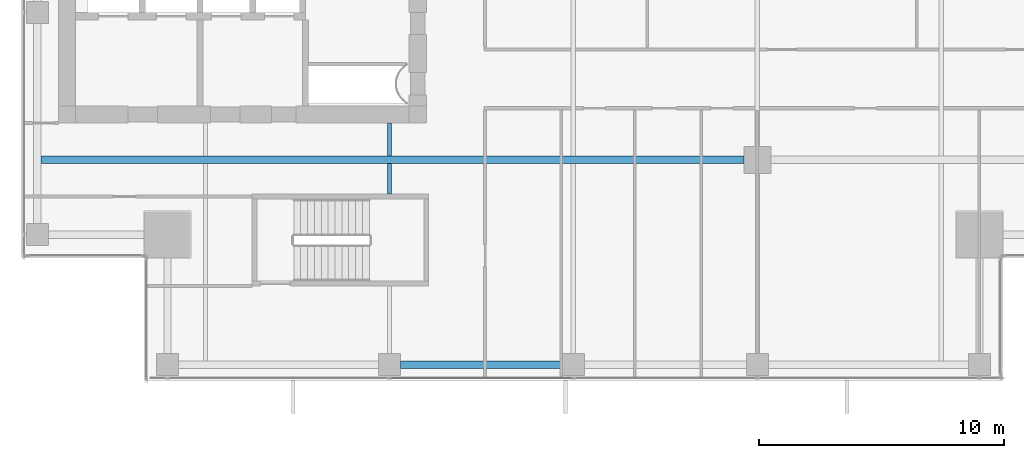
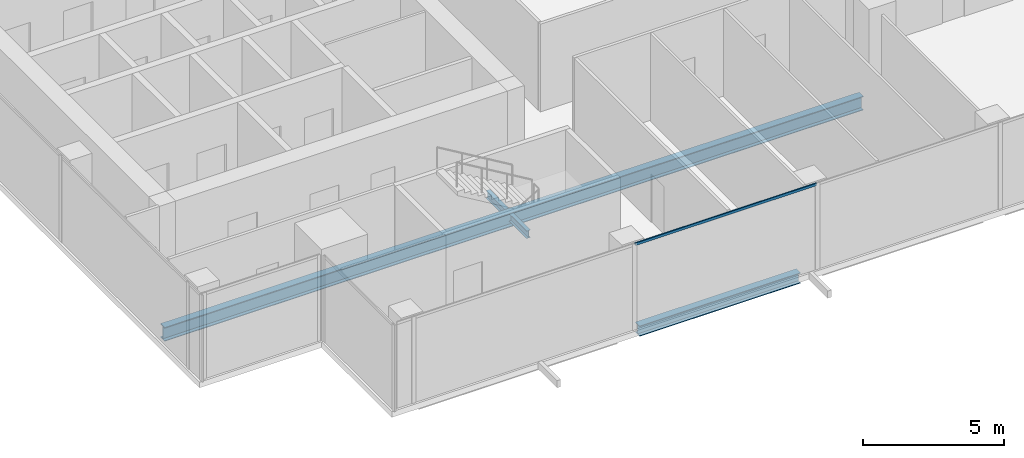
# One storey, part 5 of 36: 4 beams, 1 member, 1 element without a shape of its own.
"""IFC4 building model written with IfcOpenShell, lengths in metres."""

from ifc_helpers import new_model, si_unit, direction, frame, origin, origin_2d, place, context, subcontext, project, spatial, hollow_rectangle, i_section, extrude, source, transform, mapped, material, material_profile, profile_set, type_object, element, aggregate, save


model = new_model("IFC4")

# Units and contexts
model_context = context("Model", 3, precision=1e-05, world=origin(), true_north=direction((0.0, 1.0)))
body_context = subcontext(model_context, "Body", "Model", "MODEL_VIEW")
ifc_project = project(units=[si_unit("LENGTHUNIT", "METRE"), si_unit("AREAUNIT", "SQUARE_METRE"), si_unit("VOLUMEUNIT", "CUBIC_METRE"), si_unit("PLANEANGLEUNIT", "RADIAN"), si_unit("MASSUNIT", "GRAM", prefix="KILO")], contexts=[model_context])

# Site, building, storey
site_placement = place(None, origin())
site = spatial("IfcSite", under=ifc_project, at=site_placement, CompositionType="ELEMENT")
building_placement = place(site_placement, origin())
building = spatial("IfcBuilding", under=site, at=building_placement, Name="Khomas Fold Tower", CompositionType="ELEMENT")
storey_placement = place(building_placement, frame((0.0, 0.0, 230.199951171875)))
storey = spatial("IfcBuildingStorey", under=building, at=storey_placement, Name="L51", CompositionType="ELEMENT", Elevation=230.199951171875)

# Beams
ifc_material_1 = material(Name="Steel S355", Category="steel")
ifc_material_profile_1 = material_profile(ifc_material_1, i_section(OverallWidth=0.159912109375, OverallDepth=0.330078125, WebThickness=0.007568359375, FlangeThickness=0.011474609375, at=origin_2d()), Name="IPE 330")
ifc_profile_set_1 = profile_set([ifc_material_profile_1], Name="Steel S355")
beam_type_1 = type_object("IfcBeamType", Name="IPE 330 beam JB1", PredefinedType="BEAM", material=ifc_profile_set_1)
shared_shape_1 = source(origin(), body_context, "Body", "SweptSolid", [
    extrude(i_section(OverallWidth=0.159912109375, OverallDepth=0.330078125, WebThickness=0.007568359375, FlangeThickness=0.011474609375, at=origin_2d()), origin(), (0.0, 0.0, 1.0), 1.25),
])
beam_1_placement = place(storey_placement, frame((19.5, 12.10009765625, -0.4150390625), z_axis=(0.0, 1.0, 0.0), x_axis=(-1.0, 0.0, 0.0)))
element("IfcBeam", 1, at=beam_1_placement, inside=storey, type_object=beam_type_1, Name="JB1", PredefinedType="BEAM", context=body_context, shape_type="MappedRepresentation", body=[
    mapped(shared_shape_1, transform((0.0, 0.0, 0.0))),
])
shared_shape_2 = source(origin(), body_context, "Body", "SweptSolid", [
    extrude(i_section(OverallWidth=0.159912109375, OverallDepth=0.330078125, WebThickness=0.007568359375, FlangeThickness=0.011474609375, at=origin_2d()), origin(), (0.0, 0.0, 1.0), 1.35009765625),
])
beam_2_placement = place(storey_placement, frame((19.5, 13.64990234375, -0.4150390625), z_axis=(0.0, 1.0, 0.0), x_axis=(-1.0, 0.0, 0.0)))
element("IfcBeam", 2, at=beam_2_placement, inside=storey, type_object=beam_type_1, Name="JB1", PredefinedType="BEAM", context=body_context, shape_type="MappedRepresentation", body=[
    mapped(shared_shape_2, transform((0.0, 0.0, 0.0))),
])
ifc_material_2 = material(Name="Steel S355", Category="steel")
ifc_material_profile_2 = material_profile(ifc_material_2, i_section(OverallWidth=0.300048828125, OverallDepth=0.449951171875, WebThickness=0.013916015625, FlangeThickness=0.02587890625, at=origin_2d()), Name="HE 450 B")
ifc_profile_set_2 = profile_set([ifc_material_profile_2], Name="Steel S355")
beam_type_2 = type_object("IfcBeamType", Name="HE 450 B spandrel SB4", PredefinedType="SPANDREL", material=ifc_profile_set_2)
shared_shape_3 = source(origin(), body_context, "Body", "SweptSolid", [
    extrude(i_section(OverallWidth=0.300048828125, OverallDepth=0.449951171875, WebThickness=0.013916015625, FlangeThickness=0.02587890625, at=origin_2d()), origin(), (0.0, 0.0, 1.0), 6.60009765625),
])
beam_3_placement = place(storey_placement, frame((19.949951171875, 5.14990234375, -0.474853515625), z_axis=(1.0, 0.0, 0.0), x_axis=(0.0, 1.0, 0.0)))
element("IfcBeam", 3, at=beam_3_placement, inside=storey, type_object=beam_type_2, Name="SB4", PredefinedType="SPANDREL", context=body_context, shape_type="MappedRepresentation", body=[
    mapped(shared_shape_3, transform((0.0, 0.0, 0.0))),
])
ifc_material_3 = material(Name="Steel S355", Category="steel")
ifc_material_profile_3 = material_profile(ifc_material_3, i_section(OverallWidth=0.300048828125, OverallDepth=0.60009765625, WebThickness=0.015380859375, FlangeThickness=0.030029296875, at=origin_2d()), Name="HE 600 B")
ifc_profile_set_3 = profile_set([ifc_material_profile_3], Name="Steel S355")
beam_type_3 = type_object("IfcBeamType", Name="HE 600 B beam GB5", PredefinedType="BEAM", material=ifc_profile_set_3)
shared_shape_4 = source(origin(), body_context, "Body", "SweptSolid", [
    extrude(i_section(OverallWidth=0.300048828125, OverallDepth=0.60009765625, WebThickness=0.015380859375, FlangeThickness=0.030029296875, at=origin_2d()), origin(), (0.0, 0.0, 1.0), 28.64990234375),
])
beam_4_placement = place(storey_placement, frame((5.300048828125, 13.5, -0.550048828125), z_axis=(1.0, 0.0, 0.0), x_axis=(0.0, 1.0, 0.0)))
element("IfcBeam", 4, at=beam_4_placement, inside=storey, type_object=beam_type_3, Name="GB5", PredefinedType="BEAM", context=body_context, shape_type="MappedRepresentation", body=[
    mapped(shared_shape_4, transform((0.0, 0.0, 0.0))),
])

# Curtain wall, member
ifc_material_4 = material(Name="Aluminium framed double glazing", Category="aluminium")
curtain_wall_type = type_object("IfcCurtainWallType", Name="SK-Unitised clear-glass wall, office floors CW2", PredefinedType="NOTDEFINED", material=ifc_material_4)
curtain_wall_placement = place(storey_placement, origin())
curtain_wall = element("IfcCurtainWall", 5, at=curtain_wall_placement, inside=storey, type_object=curtain_wall_type, Name="CW2 run L51 00-0", PredefinedType="NOTDEFINED")
ifc_material_5 = material(Name="Aluminium", Category="aluminium")
ifc_material_profile_4 = material_profile(ifc_material_5, hollow_rectangle(XDim=0.050048828125, YDim=0.110107421875, WallThickness=0.00390625, at=origin_2d()), Name="SK-Unitised clear-glass wall, office floors transom CW2-T")
ifc_profile_set_4 = profile_set([ifc_material_profile_4], Name="Aluminium")
member_type = type_object("IfcMemberType", Name="SK-Unitised clear-glass wall, office floors transom CW2-T", PredefinedType="USERDEFINED", material=ifc_profile_set_4)
shared_shape_5 = source(origin(), body_context, "Body", "SweptSolid", [
    extrude(hollow_rectangle(XDim=0.050048828125, YDim=0.110107421875, WallThickness=0.00390625, at=origin_2d()), origin(), (0.0, 0.0, 1.0), 7.43994140625),
])
member_placement = place(storey_placement, frame((19.530029296875, 4.60009765625, 3.695068359375), z_axis=(1.0, 0.0, 0.0), x_axis=(0.0, 1.0, 0.0)))
member = element("IfcMember", 6, at=member_placement, type_object=member_type, Name="CW2 transom 3", ObjectType="TRANSOM", PredefinedType="USERDEFINED", context=body_context, shape_type="MappedRepresentation", body=[
    mapped(shared_shape_5, transform((0.0, 0.0, 0.0))),
])
aggregate(curtain_wall, [member])

save(model, "model.ifc")
